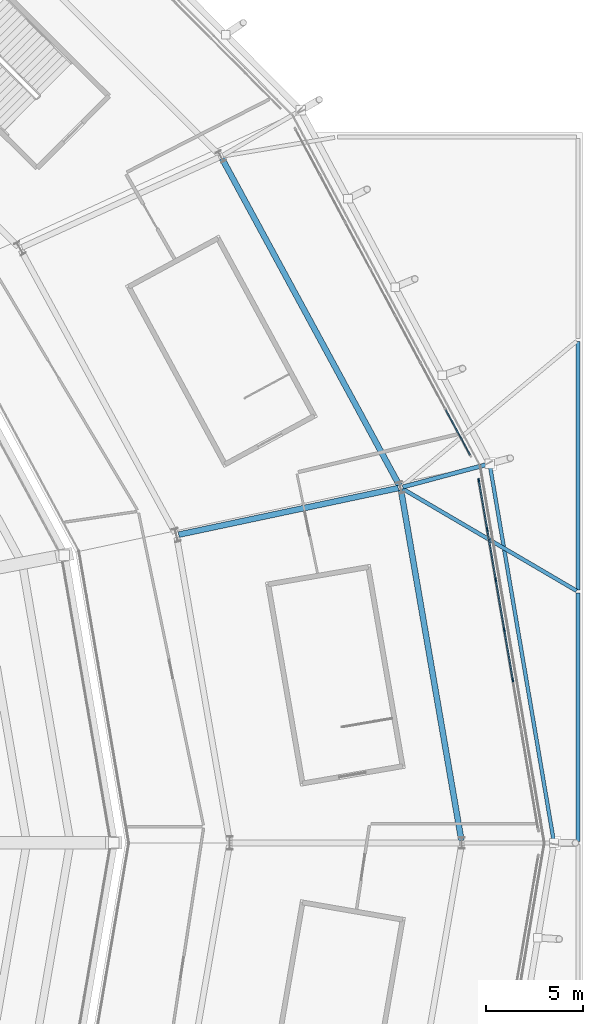
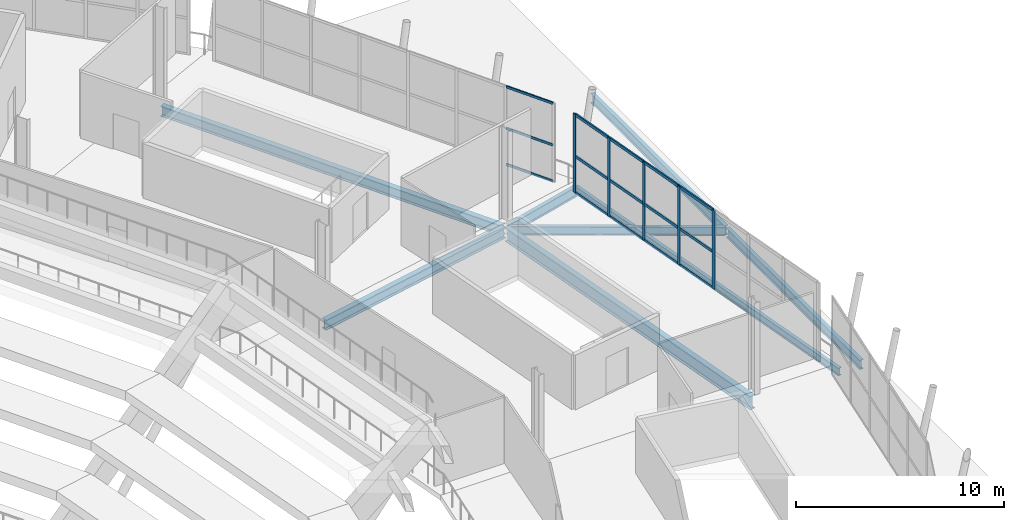
# One storey, part 47 of 126: 20 members, 8 beams, 2 elements without a shape of their own.
"""IFC4 building model written with IfcOpenShell, lengths in metres."""

from ifc_helpers import new_model, si_unit, direction, frame, origin, origin_2d, place, context, subcontext, project, spatial, rectangle, i_section, extrude, material, material_profile, profile_set, type_object, element, aggregate, save


model = new_model("IFC4")

# Units and contexts
model_context = context("Model", 3, precision=1e-05, world=origin(), true_north=direction((0.0, 1.0)))
body_context = subcontext(model_context, "Body", "Model", "MODEL_VIEW")
ifc_project = project(units=[si_unit("LENGTHUNIT", "METRE"), si_unit("AREAUNIT", "SQUARE_METRE"), si_unit("VOLUMEUNIT", "CUBIC_METRE"), si_unit("PLANEANGLEUNIT", "RADIAN"), si_unit("MASSUNIT", "GRAM", prefix="KILO")], contexts=[model_context])

# Site, building, storey
site_placement = place(None, origin())
site = spatial("IfcSite", under=ifc_project, at=site_placement, CompositionType="ELEMENT")
building_placement = place(site_placement, origin())
building = spatial("IfcBuilding", under=site, at=building_placement, Name="Zlatoyarsky Gate Stadium", CompositionType="ELEMENT")
storey_placement = place(building_placement, frame((0.0, 0.0, 20.800048828125)))
storey = spatial("IfcBuildingStorey", under=building, at=storey_placement, Name="L04", CompositionType="ELEMENT", Elevation=20.800048828125)

# Curtain wall, members
ifc_material_1 = material(Name="Thermally broken anodised aluminium curtain wall", Category="aluminium")
curtain_wall_type_1 = type_object("IfcCurtainWallType", Name="MONUMENTAL ARCHED GATE GLAZING LOWER", PredefinedType="USERDEFINED", material=ifc_material_1)
curtain_wall_1_placement = place(storey_placement, origin())
curtain_wall_1 = element("IfcCurtainWall", 1, at=curtain_wall_1_placement, inside=storey, type_object=curtain_wall_type_1, Name="Curtain wall CW-L04-00", ObjectType="ARCHED GATE GLAZING", PredefinedType="USERDEFINED")
ifc_material_2 = material(Name="Anodised aluminium 6063-T6", Category="aluminium")
ifc_material_profile_1 = material_profile(ifc_material_2, rectangle(XDim=0.074951171875, YDim=0.18994140625, at=origin_2d()), Name="ALU 75X190")
ifc_profile_set_1 = profile_set([ifc_material_profile_1], Name="Anodised aluminium 6063-T6")
member_type_1 = type_object("IfcMemberType", Name="ALUMINIUM GATE MULLION 75X190", PredefinedType="MULLION", material=ifc_profile_set_1)
member_1_placement = place(storey_placement, frame((206.636474609375, 88.41845703125, 0.0), z_axis=(0.0, 0.0, 1.0), x_axis=(-0.985817460475, -0.167821138782, 0.0)))
member_1 = element("IfcMember", 2, at=member_1_placement, type_object=member_type_1, Name="CW-AG1 mullion 4", PredefinedType="MULLION", context=body_context, shape_type="SweptSolid", body=[
    extrude(rectangle(XDim=0.074951171875, YDim=0.18994140625, at=origin_2d()), origin(), (0.0, 0.0, 1.0), 4.619873046875),
])
member_2_placement = place(storey_placement, frame((206.195068359375, 91.010986328125, 0.0), z_axis=(0.0, 0.0, 1.0), x_axis=(-0.985817460475, -0.167821138782, 0.0)))
member_2 = element("IfcMember", 3, at=member_2_placement, type_object=member_type_1, Name="CW-AG1 mullion 5", PredefinedType="MULLION", context=body_context, shape_type="SweptSolid", body=[
    extrude(rectangle(XDim=0.074951171875, YDim=0.18994140625, at=origin_2d()), origin(), (0.0, 0.0, 1.0), 4.619873046875),
])
member_3_placement = place(storey_placement, frame((205.75390625, 93.603515625, 0.0), z_axis=(0.0, 0.0, 1.0), x_axis=(-0.985817460475, -0.167821138782, 0.0)))
member_3 = element("IfcMember", 4, at=member_3_placement, type_object=member_type_1, Name="CW-AG1 mullion 6", PredefinedType="MULLION", context=body_context, shape_type="SweptSolid", body=[
    extrude(rectangle(XDim=0.074951171875, YDim=0.18994140625, at=origin_2d()), origin(), (0.0, 0.0, 1.0), 4.619873046875),
])
member_4_placement = place(storey_placement, frame((205.3125, 96.196044921875, 0.0), z_axis=(0.0, 0.0, 1.0), x_axis=(-0.985817460475, -0.167821138782, 0.0)))
member_4 = element("IfcMember", 5, at=member_4_placement, type_object=member_type_1, Name="CW-AG1 mullion 7", PredefinedType="MULLION", context=body_context, shape_type="SweptSolid", body=[
    extrude(rectangle(XDim=0.074951171875, YDim=0.18994140625, at=origin_2d()), origin(), (0.0, 0.0, 1.0), 4.619873046875),
])
member_5_placement = place(storey_placement, frame((204.87744140625, 98.751708984375, 0.0), z_axis=(0.0, 0.0, 1.0), x_axis=(-0.985817460475, -0.167821138782, 0.0)))
member_5 = element("IfcMember", 6, at=member_5_placement, type_object=member_type_1, Name="CW-AG1 mullion 8", PredefinedType="MULLION", context=body_context, shape_type="SweptSolid", body=[
    extrude(rectangle(XDim=0.074951171875, YDim=0.18994140625, at=origin_2d()), origin(), (0.0, 0.0, 1.0), 4.619873046875),
])
ifc_material_profile_2 = material_profile(ifc_material_2, rectangle(XDim=0.074951171875, YDim=0.169921875, at=origin_2d()), Name="ALU 75X170")
ifc_profile_set_2 = profile_set([ifc_material_profile_2], Name="Anodised aluminium 6063-T6")
member_type_2 = type_object("IfcMemberType", Name="ALUMINIUM GATE TRANSOM 75X170", PredefinedType="USERDEFINED", material=ifc_profile_set_2)
member_6_placement = place(storey_placement, frame((206.630126953125, 88.455322265625, 0.037353515625), z_axis=(-0.167791444829, 0.98582251498, 0.0), x_axis=(-0.98582251498, -0.167791444829, 0.0)))
member_6 = element("IfcMember", 7, at=member_6_placement, type_object=member_type_2, Name="CW-AG1 transom 4.1", ObjectType="TRANSOM", PredefinedType="USERDEFINED", context=body_context, shape_type="SweptSolid", body=[
    extrude(rectangle(XDim=0.074951171875, YDim=0.169921875, at=origin_2d()), origin(), (0.0, 0.0, 1.0), 2.554931640625),
])
member_7_placement = place(storey_placement, frame((206.630126953125, 88.455322265625, 2.14990234375), z_axis=(-0.167791444829, 0.98582251498, 0.0), x_axis=(-0.98582251498, -0.167791444829, 0.0)))
member_7 = element("IfcMember", 8, at=member_7_placement, type_object=member_type_2, Name="CW-AG1 transom 4.2", ObjectType="TRANSOM", PredefinedType="USERDEFINED", context=body_context, shape_type="SweptSolid", body=[
    extrude(rectangle(XDim=0.074951171875, YDim=0.169921875, at=origin_2d()), origin(), (0.0, 0.0, 1.0), 2.554931640625),
])
member_8_placement = place(storey_placement, frame((206.630126953125, 88.455322265625, 4.58251953125), z_axis=(-0.167791444829, 0.98582251498, 0.0), x_axis=(-0.98582251498, -0.167791444829, 0.0)))
member_8 = element("IfcMember", 9, at=member_8_placement, type_object=member_type_2, Name="CW-AG1 transom 4.3", ObjectType="TRANSOM", PredefinedType="USERDEFINED", context=body_context, shape_type="SweptSolid", body=[
    extrude(rectangle(XDim=0.074951171875, YDim=0.169921875, at=origin_2d()), origin(), (0.0, 0.0, 1.0), 2.554931640625),
])
member_9_placement = place(storey_placement, frame((206.188720703125, 91.0478515625, 0.037353515625), z_axis=(-0.167791444829, 0.98582251498, 0.0), x_axis=(-0.98582251498, -0.167791444829, 0.0)))
member_9 = element("IfcMember", 10, at=member_9_placement, type_object=member_type_2, Name="CW-AG1 transom 5.1", ObjectType="TRANSOM", PredefinedType="USERDEFINED", context=body_context, shape_type="SweptSolid", body=[
    extrude(rectangle(XDim=0.074951171875, YDim=0.169921875, at=origin_2d()), origin(), (0.0, 0.0, 1.0), 2.554931640625),
])
member_10_placement = place(storey_placement, frame((206.188720703125, 91.0478515625, 2.14990234375), z_axis=(-0.167791444829, 0.98582251498, 0.0), x_axis=(-0.98582251498, -0.167791444829, 0.0)))
member_10 = element("IfcMember", 11, at=member_10_placement, type_object=member_type_2, Name="CW-AG1 transom 5.2", ObjectType="TRANSOM", PredefinedType="USERDEFINED", context=body_context, shape_type="SweptSolid", body=[
    extrude(rectangle(XDim=0.074951171875, YDim=0.169921875, at=origin_2d()), origin(), (0.0, 0.0, 1.0), 2.554931640625),
])
member_11_placement = place(storey_placement, frame((206.188720703125, 91.0478515625, 4.58251953125), z_axis=(-0.167791444829, 0.98582251498, 0.0), x_axis=(-0.98582251498, -0.167791444829, 0.0)))
member_11 = element("IfcMember", 12, at=member_11_placement, type_object=member_type_2, Name="CW-AG1 transom 5.3", ObjectType="TRANSOM", PredefinedType="USERDEFINED", context=body_context, shape_type="SweptSolid", body=[
    extrude(rectangle(XDim=0.074951171875, YDim=0.169921875, at=origin_2d()), origin(), (0.0, 0.0, 1.0), 2.554931640625),
])
member_12_placement = place(storey_placement, frame((205.74755859375, 93.640380859375, 0.037353515625), z_axis=(-0.167791444829, 0.98582251498, 0.0), x_axis=(-0.98582251498, -0.167791444829, 0.0)))
member_12 = element("IfcMember", 13, at=member_12_placement, type_object=member_type_2, Name="CW-AG1 transom 6.1", ObjectType="TRANSOM", PredefinedType="USERDEFINED", context=body_context, shape_type="SweptSolid", body=[
    extrude(rectangle(XDim=0.074951171875, YDim=0.169921875, at=origin_2d()), origin(), (0.0, 0.0, 1.0), 2.554931640625),
])
member_13_placement = place(storey_placement, frame((205.74755859375, 93.640380859375, 2.14990234375), z_axis=(-0.167791444829, 0.98582251498, 0.0), x_axis=(-0.98582251498, -0.167791444829, 0.0)))
member_13 = element("IfcMember", 14, at=member_13_placement, type_object=member_type_2, Name="CW-AG1 transom 6.2", ObjectType="TRANSOM", PredefinedType="USERDEFINED", context=body_context, shape_type="SweptSolid", body=[
    extrude(rectangle(XDim=0.074951171875, YDim=0.169921875, at=origin_2d()), origin(), (0.0, 0.0, 1.0), 2.554931640625),
])
member_14_placement = place(storey_placement, frame((205.74755859375, 93.640380859375, 4.58251953125), z_axis=(-0.167791444829, 0.98582251498, 0.0), x_axis=(-0.98582251498, -0.167791444829, 0.0)))
member_14 = element("IfcMember", 15, at=member_14_placement, type_object=member_type_2, Name="CW-AG1 transom 6.3", ObjectType="TRANSOM", PredefinedType="USERDEFINED", context=body_context, shape_type="SweptSolid", body=[
    extrude(rectangle(XDim=0.074951171875, YDim=0.169921875, at=origin_2d()), origin(), (0.0, 0.0, 1.0), 2.554931640625),
])
member_15_placement = place(storey_placement, frame((205.30615234375, 96.23291015625, 0.037353515625), z_axis=(-0.167779294491, 0.985824582946, 0.0), x_axis=(-0.985824582946, -0.167779294491, 0.0)))
member_15 = element("IfcMember", 16, at=member_15_placement, type_object=member_type_2, Name="CW-AG1 transom 7.1", ObjectType="TRANSOM", PredefinedType="USERDEFINED", context=body_context, shape_type="SweptSolid", body=[
    extrude(rectangle(XDim=0.074951171875, YDim=0.169921875, at=origin_2d()), origin(), (0.0, 0.0, 1.0), 2.517333984375),
])
member_16_placement = place(storey_placement, frame((205.30615234375, 96.23291015625, 2.14990234375), z_axis=(-0.167779294491, 0.985824582946, 0.0), x_axis=(-0.985824582946, -0.167779294491, 0.0)))
member_16 = element("IfcMember", 17, at=member_16_placement, type_object=member_type_2, Name="CW-AG1 transom 7.2", ObjectType="TRANSOM", PredefinedType="USERDEFINED", context=body_context, shape_type="SweptSolid", body=[
    extrude(rectangle(XDim=0.074951171875, YDim=0.169921875, at=origin_2d()), origin(), (0.0, 0.0, 1.0), 2.517333984375),
])
member_17_placement = place(storey_placement, frame((205.30615234375, 96.23291015625, 4.58251953125), z_axis=(-0.167779294491, 0.985824582946, 0.0), x_axis=(-0.985824582946, -0.167779294491, 0.0)))
member_17 = element("IfcMember", 18, at=member_17_placement, type_object=member_type_2, Name="CW-AG1 transom 7.3", ObjectType="TRANSOM", PredefinedType="USERDEFINED", context=body_context, shape_type="SweptSolid", body=[
    extrude(rectangle(XDim=0.074951171875, YDim=0.169921875, at=origin_2d()), origin(), (0.0, 0.0, 1.0), 2.517333984375),
])
aggregate(curtain_wall_1, [member_1, member_2, member_3, member_4, member_5, member_6, member_7, member_8, member_9, member_10, member_11, member_12, member_13, member_14, member_15, member_16, member_17])

curtain_wall_type_2 = type_object("IfcCurtainWallType", Name="UNITISED MEDIA RING GLAZING L04", PredefinedType="USERDEFINED", material=ifc_material_1)
curtain_wall_2_placement = place(storey_placement, origin())
curtain_wall_2 = element("IfcCurtainWall", 19, at=curtain_wall_2_placement, inside=storey, type_object=curtain_wall_type_2, Name="Curtain wall CW-L04-01", ObjectType="UNITISED GLAZING", PredefinedType="USERDEFINED")
ifc_material_profile_3 = material_profile(ifc_material_2, rectangle(XDim=0.06494140625, YDim=0.139892578125, at=origin_2d()), Name="ALU 65X140")
ifc_profile_set_3 = profile_set([ifc_material_profile_3], Name="Anodised aluminium 6063-T6")
member_type_3 = type_object("IfcMemberType", Name="ALUMINIUM TRANSOM 65X140", PredefinedType="USERDEFINED", material=ifc_profile_set_3)
member_18_placement = place(storey_placement, frame((204.42431640625, 100.059814453125, 0.032470703125), z_axis=(-0.472126840824, 0.881530626906, 0.0), x_axis=(-0.881530626906, -0.472126840824, 0.0)))
member_18 = element("IfcMember", 20, at=member_18_placement, type_object=member_type_3, Name="CW-UG4 transom 1.1", ObjectType="TRANSOM", PredefinedType="USERDEFINED", context=body_context, shape_type="SweptSolid", body=[
    extrude(rectangle(XDim=0.06494140625, YDim=0.139892578125, at=origin_2d()), origin(), (0.0, 0.0, 1.0), 2.650634765625),
])
member_19_placement = place(storey_placement, frame((204.42431640625, 100.059814453125, 2.14990234375), z_axis=(-0.472126840824, 0.881530626906, 0.0), x_axis=(-0.881530626906, -0.472126840824, 0.0)))
member_19 = element("IfcMember", 21, at=member_19_placement, type_object=member_type_3, Name="CW-UG4 transom 1.2", ObjectType="TRANSOM", PredefinedType="USERDEFINED", context=body_context, shape_type="SweptSolid", body=[
    extrude(rectangle(XDim=0.06494140625, YDim=0.139892578125, at=origin_2d()), origin(), (0.0, 0.0, 1.0), 2.650634765625),
])
member_20_placement = place(storey_placement, frame((204.42431640625, 100.059814453125, 4.58740234375), z_axis=(-0.472126840824, 0.881530626906, 0.0), x_axis=(-0.881530626906, -0.472126840824, 0.0)))
member_20 = element("IfcMember", 22, at=member_20_placement, type_object=member_type_3, Name="CW-UG4 transom 1.3", ObjectType="TRANSOM", PredefinedType="USERDEFINED", context=body_context, shape_type="SweptSolid", body=[
    extrude(rectangle(XDim=0.06494140625, YDim=0.139892578125, at=origin_2d()), origin(), (0.0, 0.0, 1.0), 2.650634765625),
])
aggregate(curtain_wall_2, [member_18, member_19, member_20])

# Beams
ifc_material_3 = material(Name="Steel S355", Category="steel")
ifc_material_profile_4 = material_profile(ifc_material_3, i_section(OverallWidth=0.219970703125, OverallDepth=0.60009765625, WebThickness=0.011962890625, FlangeThickness=0.01904296875, FilletRadius=0.02392578125, at=origin_2d()), Name="IPE 600")
ifc_profile_set_4 = profile_set([ifc_material_profile_4], Name="Steel S355")
beam_type_1 = type_object("IfcBeamType", Name="STEEL CANTILEVER FLOOR BEAM IPE 600", PredefinedType="BEAM", material=ifc_profile_set_4)
beam_1_placement = place(storey_placement, frame((200.947021484375, 98.4072265625, -0.60009765625), z_axis=(0.965928364246, 0.258809573134, 0.0), x_axis=(-0.258809573134, 0.965928364246, 0.0)))
element("IfcBeam", 23, at=beam_1_placement, inside=storey, type_object=beam_type_1, Name="Beam B-IPE600 BM-L04-OUT-01", PredefinedType="BEAM", context=body_context, shape_type="SweptSolid", body=[
    extrude(i_section(OverallWidth=0.219970703125, OverallDepth=0.60009765625, WebThickness=0.011962890625, FlangeThickness=0.01904296875, FilletRadius=0.02392578125, at=origin_2d()), origin(), (0.0, 0.0, 1.0), 4.649658203125),
])
ifc_material_profile_5 = material_profile(ifc_material_3, i_section(OverallWidth=0.18994140625, OverallDepth=0.449951171875, WebThickness=0.009521484375, FlangeThickness=0.0146484375, FilletRadius=0.02099609375, at=origin_2d()), Name="IPE 450")
ifc_profile_set_5 = profile_set([ifc_material_profile_5], Name="Steel S355")
beam_type_2 = type_object("IfcBeamType", Name="STEEL EDGE SPANDREL IPE 450", PredefinedType="SPANDREL", material=ifc_profile_set_5)
beam_2_placement = place(storey_placement, frame((208.766357421875, 80.019775390625, -0.525146484375), z_axis=(-0.16749138305, 0.985873539864, 0.0), x_axis=(-0.985873539864, -0.16749138305, 0.0)))
element("IfcBeam", 24, at=beam_2_placement, inside=storey, type_object=beam_type_2, Name="Beam SP-IPE450 BM-L04-SPD-00", PredefinedType="SPANDREL", context=body_context, shape_type="SweptSolid", body=[
    extrude(i_section(OverallWidth=0.18994140625, OverallDepth=0.449951171875, WebThickness=0.009521484375, FlangeThickness=0.0146484375, FilletRadius=0.02099609375, at=origin_2d()), origin(), (0.0, 0.0, 1.0), 19.8515625),
])
ifc_material_profile_6 = material_profile(ifc_material_3, i_section(OverallWidth=0.199951171875, OverallDepth=0.5, WebThickness=0.01025390625, FlangeThickness=0.01611328125, FilletRadius=0.02099609375, at=origin_2d()), Name="IPE 500")
ifc_profile_set_6 = profile_set([ifc_material_profile_6], Name="Steel S355")
beam_type_3 = type_object("IfcBeamType", Name="STEEL FLOOR BEAM IPE 500", PredefinedType="BEAM", material=ifc_profile_set_6)
beam_3_placement = place(storey_placement, frame((209.930908203125, 93.04052734375, -0.550048828125), z_axis=(-0.862648306974, 0.505804209625, 0.0), x_axis=(-0.505804209625, -0.862648306974, 0.0)))
element("IfcBeam", 25, at=beam_3_placement, inside=storey, type_object=beam_type_3, Name="Beam B-IPE500 BM-L04-WRF-E5", PredefinedType="BEAM", context=body_context, shape_type="SweptSolid", body=[
    extrude(i_section(OverallWidth=0.199951171875, OverallDepth=0.5, WebThickness=0.01025390625, FlangeThickness=0.01611328125, FilletRadius=0.02099609375, at=origin_2d()), origin(), (0.0, 0.0, 1.0), 10.4287109375),
])
ifc_material_profile_7 = material_profile(ifc_material_3, i_section(OverallWidth=0.2099609375, OverallDepth=0.550048828125, WebThickness=0.010986328125, FlangeThickness=0.01708984375, FilletRadius=0.02392578125, at=origin_2d()), Name="IPE 550")
ifc_profile_set_7 = profile_set([ifc_material_profile_7], Name="Steel S355")
beam_type_4 = type_object("IfcBeamType", Name="STEEL FLOOR BEAM IPE 550", PredefinedType="BEAM", material=ifc_profile_set_7)
for number, where, z_axis, x_axis, name in (
    (26, (210.0, 80.080078125, -0.574951171875), (0.0, 1.0, 0.0), (-1.0, 0.0, 0.0), "Beam B-IPE550 BM-L04-WGY-18-H"),
    (27, (210.0, 93.080078125, -0.574951171875), (0.0, 1.0, 0.0), (-1.0, 0.0, 0.0), "Beam B-IPE550 BM-L04-WGY-18-J"),
):
    element("IfcBeam", number, at=place(storey_placement, frame(where, z_axis=z_axis, x_axis=x_axis)), inside=storey, type_object=beam_type_4, Name=name, PredefinedType="BEAM", context=body_context, shape_type="SweptSolid", body=[
        extrude(i_section(OverallWidth=0.2099609375, OverallDepth=0.550048828125, WebThickness=0.010986328125, FlangeThickness=0.01708984375, FilletRadius=0.02392578125, at=origin_2d()), origin(), (0.0, 0.0, 1.0), 12.83984375),
    ])
ifc_material_profile_8 = material_profile(ifc_material_3, i_section(OverallWidth=0.300048828125, OverallDepth=0.60009765625, WebThickness=0.015380859375, FlangeThickness=0.030029296875, FilletRadius=0.027099609375, at=origin_2d()), Name="HEB 600")
ifc_profile_set_8 = profile_set([ifc_material_profile_8], Name="Steel S355")
beam_type_5 = type_object("IfcBeamType", Name="STEEL PRIMARY GIRDER HEB 600", PredefinedType="BEAM", material=ifc_profile_set_8)
beam_4_placement = place(storey_placement, frame((189.357421875, 95.9423828125, -0.60009765625), z_axis=(0.978233348926, 0.207507867438, 0.0), x_axis=(-0.207507867438, 0.978233348926, 0.0)))
element("IfcBeam", 28, at=beam_4_placement, inside=storey, type_object=beam_type_5, Name="Beam G-HEB600 BM-L04-RBC-01", PredefinedType="BEAM", context=body_context, shape_type="SweptSolid", body=[
    extrude(i_section(OverallWidth=0.300048828125, OverallDepth=0.60009765625, WebThickness=0.015380859375, FlangeThickness=0.030029296875, FilletRadius=0.027099609375, at=origin_2d()), origin(), (0.0, 0.0, 1.0), 11.60888671875),
])
beam_5_placement = place(storey_placement, frame((200.77392578125, 98.481689453125, -0.60009765625), z_axis=(-0.476891650323, 0.878962088973, 0.0), x_axis=(-0.878962088973, -0.476891650323, 0.0)))
element("IfcBeam", 29, at=beam_5_placement, inside=storey, type_object=beam_type_5, Name="Beam G-HEB600 BM-L04-CRC-01", PredefinedType="BEAM", context=body_context, shape_type="SweptSolid", body=[
    extrude(i_section(OverallWidth=0.300048828125, OverallDepth=0.60009765625, WebThickness=0.015380859375, FlangeThickness=0.030029296875, FilletRadius=0.027099609375, at=origin_2d()), origin(), (0.0, 0.0, 1.0), 19.241943359375),
])
ifc_material_profile_9 = material_profile(ifc_material_3, i_section(OverallWidth=0.300048828125, OverallDepth=0.800048828125, WebThickness=0.017578125, FlangeThickness=0.032958984375, FilletRadius=0.030029296875, at=origin_2d()), Name="HEB 800")
ifc_profile_set_9 = profile_set([ifc_material_profile_9], Name="Steel S355")
beam_type_6 = type_object("IfcBeamType", Name="STEEL PRIMARY GIRDER HEB 800", PredefinedType="BEAM", material=ifc_profile_set_9)
beam_6_placement = place(storey_placement, frame((203.9794921875, 80.118408203125, -0.699951171875), z_axis=(-0.169930456666, 0.985456056807, 0.0), x_axis=(-0.985456056807, -0.169930456666, 0.0)))
element("IfcBeam", 30, at=beam_6_placement, inside=storey, type_object=beam_type_6, Name="Beam G-HEB800 BM-L04-CRC-00", PredefinedType="BEAM", context=body_context, shape_type="SweptSolid", body=[
    extrude(i_section(OverallWidth=0.300048828125, OverallDepth=0.800048828125, WebThickness=0.017578125, FlangeThickness=0.032958984375, FilletRadius=0.030029296875, at=origin_2d()), origin(), (0.0, 0.0, 1.0), 18.4072265625),
])

save(model, "model.ifc")
